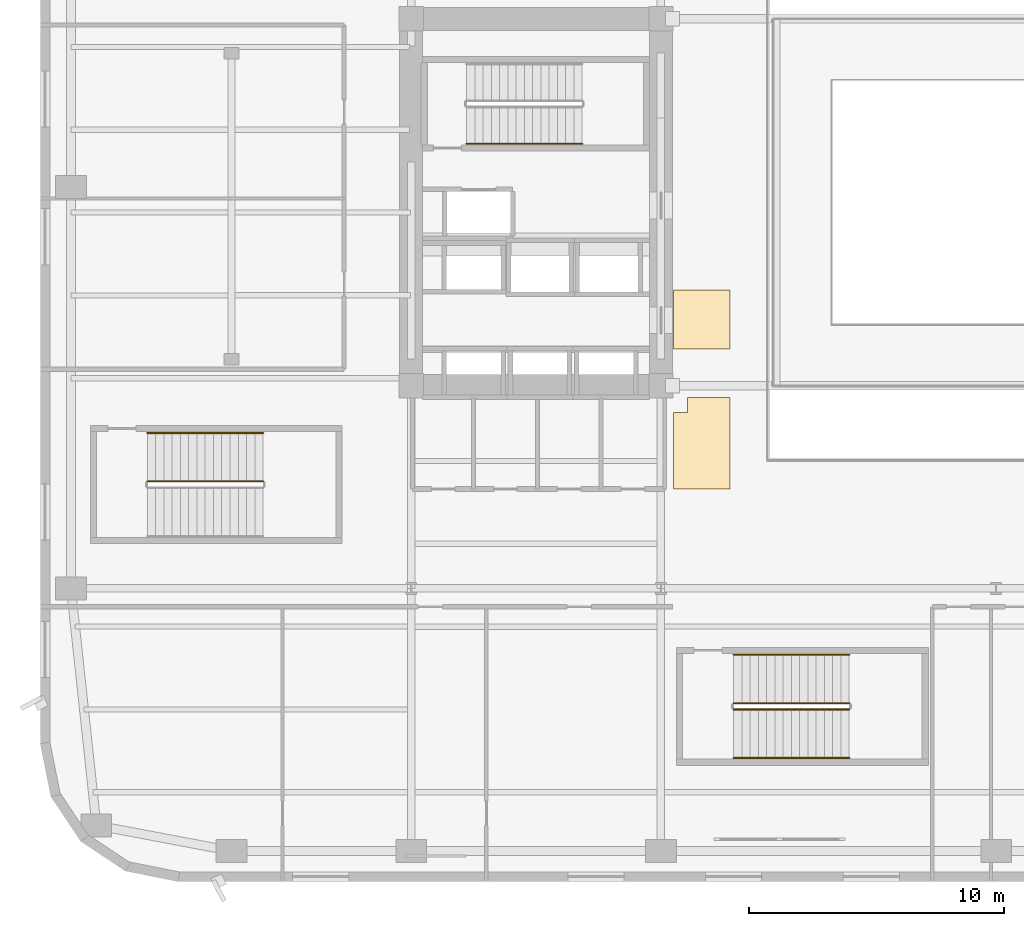
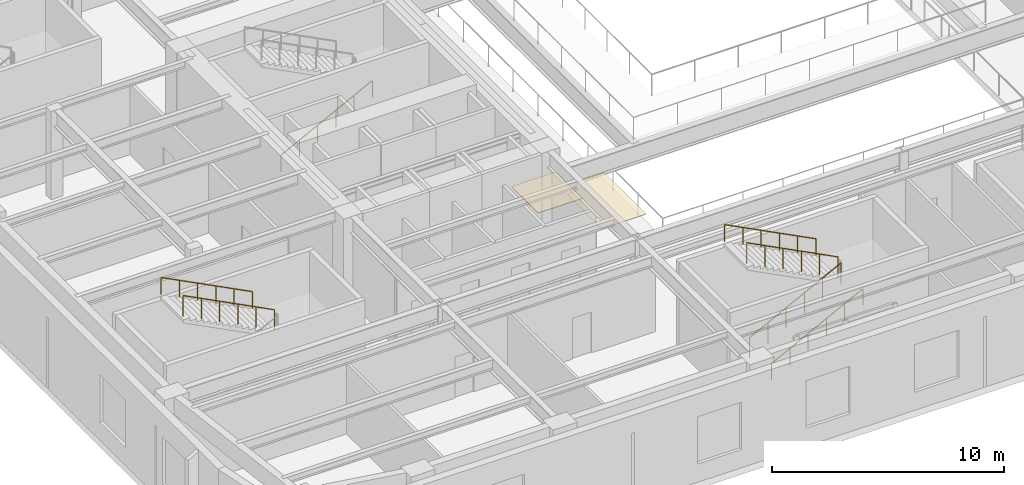
# One storey, part 14 of 22: 7 railings, 2 coverings.
"""IFC4 building model written with IfcOpenShell, lengths in metres."""

from ifc_helpers import new_model, si_unit, direction, frame, origin, origin_2d, place, context, subcontext, project, spatial, polyline, circle, outline, extrude, material, layer, layer_set, type_object, element, save


model = new_model("IFC4")

# Units and contexts
model_context = context("Model", 3, precision=1e-05, world=origin(), true_north=direction((0.0, 1.0)))
body_context = subcontext(model_context, "Body", "Model", "MODEL_VIEW")
ifc_project = project(units=[si_unit("LENGTHUNIT", "METRE"), si_unit("AREAUNIT", "SQUARE_METRE"), si_unit("VOLUMEUNIT", "CUBIC_METRE"), si_unit("PLANEANGLEUNIT", "RADIAN"), si_unit("MASSUNIT", "GRAM", prefix="KILO")], contexts=[model_context])

# Site, building, storey
site_placement = place(None, origin())
site = spatial("IfcSite", under=ifc_project, at=site_placement, CompositionType="ELEMENT")
building_placement = place(site_placement, origin())
building = spatial("IfcBuilding", under=site, at=building_placement, Name="Kolvaren Arena Tower", CompositionType="ELEMENT")
storey_placement = place(building_placement, frame((0.0, 0.0, 13.0)))
storey = spatial("IfcBuildingStorey", under=building, at=storey_placement, Name="L02", CompositionType="ELEMENT", Elevation=13.0)

# Coverings
ifc_material_1 = material(Name="Mineral fibre acoustic ceiling tile", Category="gypsum")
ifc_layer_1 = layer(ifc_material_1, 0.02490234375)
ifc_layer_set_1 = layer_set([ifc_layer_1], Name="Mineral fibre acoustic ceiling tile")
covering_type_1 = type_object("IfcCoveringType", Name="CEIL-ACT-1", PredefinedType="CEILING", material=ifc_layer_set_1)
covering_1_placement = place(storey_placement, frame((0.0, 0.0, 2.52001953125)))
element("IfcCovering", 1, at=covering_1_placement, inside=storey, type_object=covering_type_1, Name="Suspended Ceiling (L02)", PredefinedType="CEILING", context=body_context, shape_type="SweptSolid", body=[
    extrude(outline(polyline([(27.050048828125, 19.0), (27.050048828125, 15.39990234375), (24.85009765625, 15.39990234375), (24.85009765625, 18.39990234375), (25.39990234375, 18.39990234375), (25.39990234375, 19.0), (27.050048828125, 19.0)])), origin(), (0.0, 0.0, 1.0), 0.02490234375),
])
ifc_material_2 = material(Name="Polished granite terrazzo flooring", Category="masonry")
ifc_layer_2 = layer(ifc_material_2, 0.034912109375)
ifc_layer_set_2 = layer_set([ifc_layer_2], Name="Polished granite terrazzo flooring")
covering_type_2 = type_object("IfcCoveringType", Name="FLOR-TRZ-1", PredefinedType="FLOORING", material=ifc_layer_set_2)
covering_2_placement = place(storey_placement, origin())
element("IfcCovering", 2, at=covering_2_placement, inside=storey, type_object=covering_type_2, Name="Floor Finish (L02)", PredefinedType="FLOORING", context=body_context, shape_type="SweptSolid", body=[
    extrude(outline(polyline([(24.85009765625, 20.89990234375), (24.85009765625, 23.199951171875), (27.050048828125, 23.199951171875), (27.050048828125, 20.89990234375), (24.85009765625, 20.89990234375)])), origin(), (0.0, 0.0, 1.0), 0.034912109375),
])

# Railings
ifc_material_3 = material(Name="Painted galvanized steel", Category="steel")
railing_type_1 = type_object("IfcRailingType", Name="GUARD-ST-110", PredefinedType="GUARDRAIL", material=ifc_material_3)
railing_1_placement = place(storey_placement, frame((8.736083984375, 15.699951171875, 2.666748046875)))
element("IfcRailing", 3, at=railing_1_placement, inside=storey, type_object=railing_type_1, Name="L02 ST-A1 stair guard 3", PredefinedType="GUARDRAIL", context=body_context, shape_type="SweptSolid", body=[
    extrude(circle(Radius=0.02392578125, at=origin_2d()), frame((0.0, 0.0, 1.076171875), z_axis=(-0.889257211316, 0.0, 0.457407490234), x_axis=(0.0, -1.0, 0.0)), (0.0, 0.0, 1.0), 5.10107421875),
    extrude(circle(Radius=0.02099609375, at=origin_2d()), origin(), (0.0, 0.0, 1.0), 1.052001953125),
    extrude(circle(Radius=0.02099609375, at=origin_2d()), frame((-0.9072265625, 0.0, 0.466552734375)), (0.0, 0.0, 1.0), 1.052001953125),
    extrude(circle(Radius=0.02099609375, at=origin_2d()), frame((-1.814453125, 0.0, 0.933349609375)), (0.0, 0.0, 1.0), 1.052001953125),
    extrude(circle(Radius=0.02099609375, at=origin_2d()), frame((-2.7216796875, 0.0, 1.39990234375)), (0.0, 0.0, 1.0), 1.052001953125),
    extrude(circle(Radius=0.02099609375, at=origin_2d()), frame((-3.62890625, 0.0, 1.86669921875)), (0.0, 0.0, 1.0), 1.052001953125),
    extrude(circle(Radius=0.02099609375, at=origin_2d()), frame((-4.5361328125, 0.0, 2.333251953125)), (0.0, 0.0, 1.0), 1.052001953125),
])
railing_2_placement = place(storey_placement, frame((27.199951171875, 6.75, 0.166748046875)))
element("IfcRailing", 4, at=railing_2_placement, inside=storey, type_object=railing_type_1, Name="L02 ST-A2 stair guard 1", PredefinedType="GUARDRAIL", context=body_context, shape_type="SweptSolid", body=[
    extrude(circle(Radius=0.02392578125, at=origin_2d()), frame((0.0, 0.0, 1.076171875), z_axis=(0.889257211316, 0.0, 0.457407490234), x_axis=(0.0, 1.0, 0.0)), (0.0, 0.0, 1.0), 5.10107421875),
    extrude(circle(Radius=0.02099609375, at=origin_2d()), origin(), (0.0, 0.0, 1.0), 1.052001953125),
    extrude(circle(Radius=0.02099609375, at=origin_2d()), frame((0.9072265625, 0.0, 0.466552734375)), (0.0, 0.0, 1.0), 1.052001953125),
    extrude(circle(Radius=0.02099609375, at=origin_2d()), frame((1.814453125, 0.0, 0.933349609375)), (0.0, 0.0, 1.0), 1.052001953125),
    extrude(circle(Radius=0.02099609375, at=origin_2d()), frame((2.7216796875, 0.0, 1.39990234375)), (0.0, 0.0, 1.0), 1.052001953125),
    extrude(circle(Radius=0.02099609375, at=origin_2d()), frame((3.62890625, 0.0, 1.86669921875)), (0.0, 0.0, 1.0), 1.052001953125),
    extrude(circle(Radius=0.02099609375, at=origin_2d()), frame((4.5361328125, 0.0, 2.333251953125)), (0.0, 0.0, 1.0), 1.052001953125),
])
railing_3_placement = place(storey_placement, frame((31.736083984375, 7.0, 2.666748046875)))
element("IfcRailing", 5, at=railing_3_placement, inside=storey, type_object=railing_type_1, Name="L02 ST-A2 stair guard 3", PredefinedType="GUARDRAIL", context=body_context, shape_type="SweptSolid", body=[
    extrude(circle(Radius=0.02392578125, at=origin_2d()), frame((0.0, 0.0, 1.076171875), z_axis=(-0.889257211316, 0.0, 0.457407490234), x_axis=(0.0, -1.0, 0.0)), (0.0, 0.0, 1.0), 5.10107421875),
    extrude(circle(Radius=0.02099609375, at=origin_2d()), origin(), (0.0, 0.0, 1.0), 1.052001953125),
    extrude(circle(Radius=0.02099609375, at=origin_2d()), frame((-0.9072265625, 0.0, 0.466552734375)), (0.0, 0.0, 1.0), 1.052001953125),
    extrude(circle(Radius=0.02099609375, at=origin_2d()), frame((-1.814453125, 0.0, 0.933349609375)), (0.0, 0.0, 1.0), 1.052001953125),
    extrude(circle(Radius=0.02099609375, at=origin_2d()), frame((-2.7216796875, 0.0, 1.39990234375)), (0.0, 0.0, 1.0), 1.052001953125),
    extrude(circle(Radius=0.02099609375, at=origin_2d()), frame((-3.62890625, 0.0, 1.86669921875)), (0.0, 0.0, 1.0), 1.052001953125),
    extrude(circle(Radius=0.02099609375, at=origin_2d()), frame((-4.5361328125, 0.0, 2.333251953125)), (0.0, 0.0, 1.0), 1.052001953125),
])
ifc_material_4 = material(Name="Brushed stainless steel handrail", Category="steel")
railing_type_2 = type_object("IfcRailingType", Name="HRAIL-900", PredefinedType="HANDRAIL", material=ifc_material_4)
railing_4_placement = place(storey_placement, frame((16.719970703125, 28.949951171875, 0.166748046875)))
element("IfcRailing", 6, at=railing_4_placement, inside=storey, type_object=railing_type_2, Name="L02 ST-W1 stair handrail 1", PredefinedType="HANDRAIL", context=body_context, shape_type="SweptSolid", body=[
    extrude(circle(Radius=0.02392578125, at=origin_2d()), frame((0.0, 0.0, 0.8759765625), z_axis=(0.889257211316, 0.0, 0.457407490234), x_axis=(0.0, 1.0, 0.0)), (0.0, 0.0, 1.0), 5.10107421875),
    extrude(circle(Radius=0.02099609375, at=origin_2d()), origin(), (0.0, 0.0, 1.0), 0.851806640625),
    extrude(circle(Radius=0.02099609375, at=origin_2d()), frame((0.9072265625, 0.0, 0.466552734375)), (0.0, 0.0, 1.0), 0.851806640625),
    extrude(circle(Radius=0.02099609375, at=origin_2d()), frame((1.814453125, 0.0, 0.933349609375)), (0.0, 0.0, 1.0), 0.851806640625),
    extrude(circle(Radius=0.02099609375, at=origin_2d()), frame((2.7216796875, 0.0, 1.39990234375)), (0.0, 0.0, 1.0), 0.851806640625),
    extrude(circle(Radius=0.02099609375, at=origin_2d()), frame((3.62890625, 0.0, 1.86669921875)), (0.0, 0.0, 1.0), 0.851806640625),
    extrude(circle(Radius=0.02099609375, at=origin_2d()), frame((4.5361328125, 0.0, 2.333251953125)), (0.0, 0.0, 1.0), 0.851806640625),
])
railing_5_placement = place(storey_placement, frame((8.736083984375, 17.60009765625, 2.666748046875)))
element("IfcRailing", 7, at=railing_5_placement, inside=storey, type_object=railing_type_2, Name="L02 ST-A1 stair handrail 2", PredefinedType="HANDRAIL", context=body_context, shape_type="SweptSolid", body=[
    extrude(circle(Radius=0.02392578125, at=origin_2d()), frame((0.0, 0.0, 0.8759765625), z_axis=(-0.889257211316, 0.0, 0.457407490234), x_axis=(0.0, -1.0, 0.0)), (0.0, 0.0, 1.0), 5.10107421875),
    extrude(circle(Radius=0.02099609375, at=origin_2d()), origin(), (0.0, 0.0, 1.0), 0.851806640625),
    extrude(circle(Radius=0.02099609375, at=origin_2d()), frame((-0.9072265625, 0.0, 0.466552734375)), (0.0, 0.0, 1.0), 0.851806640625),
    extrude(circle(Radius=0.02099609375, at=origin_2d()), frame((-1.814453125, 0.0, 0.933349609375)), (0.0, 0.0, 1.0), 0.851806640625),
    extrude(circle(Radius=0.02099609375, at=origin_2d()), frame((-2.7216796875, 0.0, 1.39990234375)), (0.0, 0.0, 1.0), 0.851806640625),
    extrude(circle(Radius=0.02099609375, at=origin_2d()), frame((-3.62890625, 0.0, 1.86669921875)), (0.0, 0.0, 1.0), 0.851806640625),
    extrude(circle(Radius=0.02099609375, at=origin_2d()), frame((-4.5361328125, 0.0, 2.333251953125)), (0.0, 0.0, 1.0), 0.851806640625),
])
railing_6_placement = place(storey_placement, frame((27.199951171875, 4.85009765625, 0.166748046875)))
element("IfcRailing", 8, at=railing_6_placement, inside=storey, type_object=railing_type_2, Name="L02 ST-A2 stair handrail 1", PredefinedType="HANDRAIL", context=body_context, shape_type="SweptSolid", body=[
    extrude(circle(Radius=0.02392578125, at=origin_2d()), frame((0.0, 0.0, 0.8759765625), z_axis=(0.889257211316, 0.0, 0.457407490234), x_axis=(0.0, 1.0, 0.0)), (0.0, 0.0, 1.0), 5.10107421875),
    extrude(circle(Radius=0.02099609375, at=origin_2d()), origin(), (0.0, 0.0, 1.0), 0.851806640625),
    extrude(circle(Radius=0.02099609375, at=origin_2d()), frame((0.9072265625, 0.0, 0.466552734375)), (0.0, 0.0, 1.0), 0.851806640625),
    extrude(circle(Radius=0.02099609375, at=origin_2d()), frame((1.814453125, 0.0, 0.933349609375)), (0.0, 0.0, 1.0), 0.851806640625),
    extrude(circle(Radius=0.02099609375, at=origin_2d()), frame((2.7216796875, 0.0, 1.39990234375)), (0.0, 0.0, 1.0), 0.851806640625),
    extrude(circle(Radius=0.02099609375, at=origin_2d()), frame((3.62890625, 0.0, 1.86669921875)), (0.0, 0.0, 1.0), 0.851806640625),
    extrude(circle(Radius=0.02099609375, at=origin_2d()), frame((4.5361328125, 0.0, 2.333251953125)), (0.0, 0.0, 1.0), 0.851806640625),
])
railing_7_placement = place(storey_placement, frame((31.736083984375, 8.89990234375, 2.666748046875)))
element("IfcRailing", 9, at=railing_7_placement, inside=storey, type_object=railing_type_2, Name="L02 ST-A2 stair handrail 2", PredefinedType="HANDRAIL", context=body_context, shape_type="SweptSolid", body=[
    extrude(circle(Radius=0.02392578125, at=origin_2d()), frame((0.0, 0.0, 0.8759765625), z_axis=(-0.889257211316, 0.0, 0.457407490234), x_axis=(0.0, -1.0, 0.0)), (0.0, 0.0, 1.0), 5.10107421875),
    extrude(circle(Radius=0.02099609375, at=origin_2d()), origin(), (0.0, 0.0, 1.0), 0.851806640625),
    extrude(circle(Radius=0.02099609375, at=origin_2d()), frame((-0.9072265625, 0.0, 0.466552734375)), (0.0, 0.0, 1.0), 0.851806640625),
    extrude(circle(Radius=0.02099609375, at=origin_2d()), frame((-1.814453125, 0.0, 0.933349609375)), (0.0, 0.0, 1.0), 0.851806640625),
    extrude(circle(Radius=0.02099609375, at=origin_2d()), frame((-2.7216796875, 0.0, 1.39990234375)), (0.0, 0.0, 1.0), 0.851806640625),
    extrude(circle(Radius=0.02099609375, at=origin_2d()), frame((-3.62890625, 0.0, 1.86669921875)), (0.0, 0.0, 1.0), 0.851806640625),
    extrude(circle(Radius=0.02099609375, at=origin_2d()), frame((-4.5361328125, 0.0, 2.333251953125)), (0.0, 0.0, 1.0), 0.851806640625),
])

save(model, "model.ifc")
